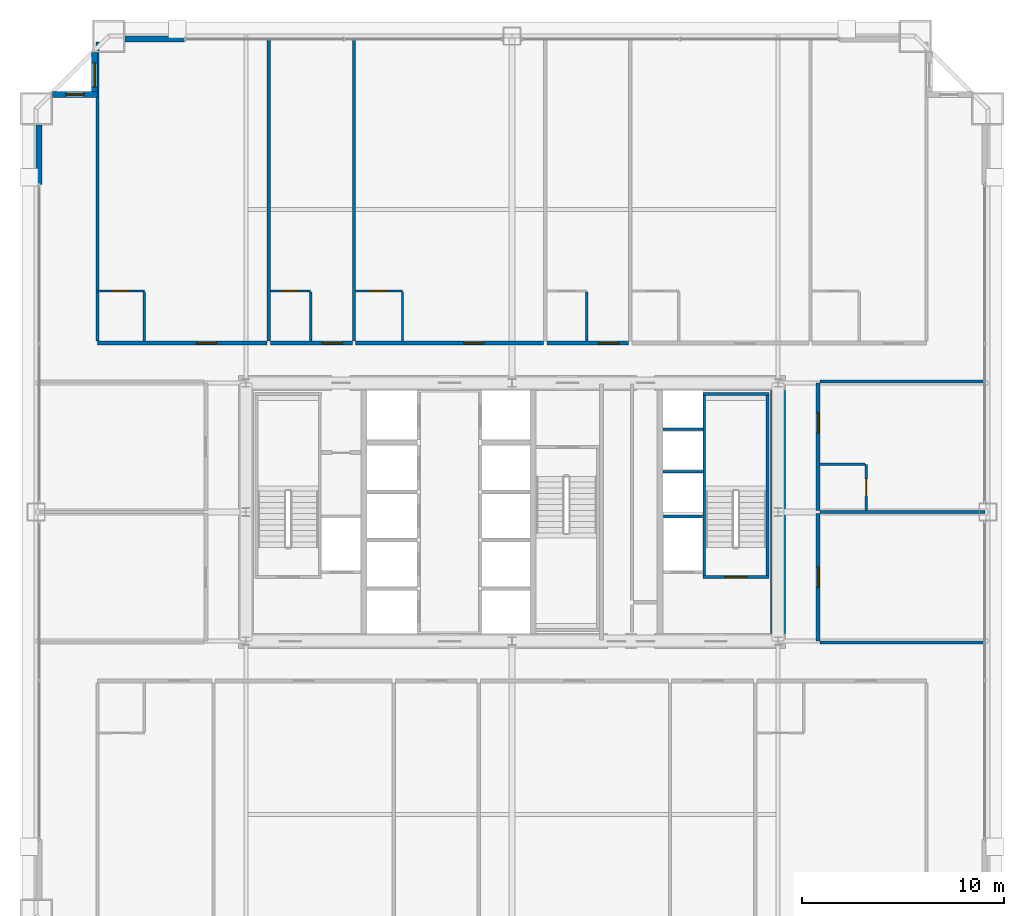
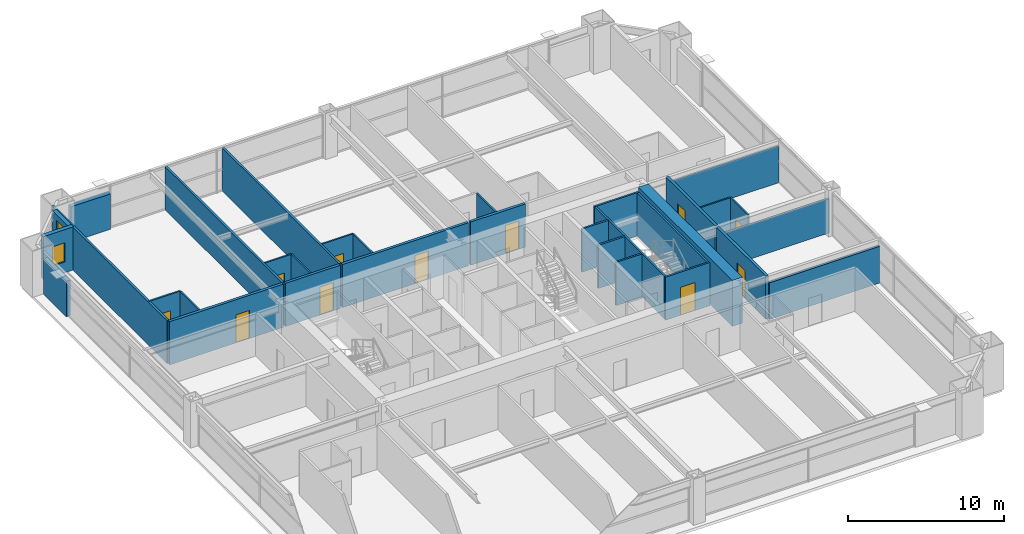
# One storey, part 37 of 39: 33 walls, 11 doors, 2 windows, 13 openings.
"""IFC4 building model written with IfcOpenShell, lengths in metres."""

from ifc_helpers import new_model, si_unit, direction, frame, frame_2d, origin, place, context, subcontext, project, spatial, rectangle, extrude, source, transform, mapped, material, layer, layer_set, type_object, element, fill, save


model = new_model("IFC4")

# Units and contexts
model_context = context("Model", 3, precision=1e-05, world=origin(), true_north=direction((0.0, 1.0)))
body_context = subcontext(model_context, "Body", "Model", "MODEL_VIEW")
ifc_project = project(units=[si_unit("LENGTHUNIT", "METRE"), si_unit("AREAUNIT", "SQUARE_METRE"), si_unit("VOLUMEUNIT", "CUBIC_METRE"), si_unit("PLANEANGLEUNIT", "RADIAN"), si_unit("MASSUNIT", "GRAM", prefix="KILO"), si_unit("THERMODYNAMICTEMPERATUREUNIT", "KELVIN"), si_unit("POWERUNIT", "WATT")], contexts=[model_context])

# Site, building, storey
site_placement = place(None, origin())
site = spatial("IfcSite", under=ifc_project, at=site_placement, CompositionType="ELEMENT")
building_placement = place(site_placement, origin())
building = spatial("IfcBuilding", under=site, at=building_placement, Name="Yuzanri Waterfront Tower", CompositionType="ELEMENT")
storey_placement = place(building_placement, frame((0.0, 0.0, 148.800048828125)))
storey = spatial("IfcBuildingStorey", under=building, at=storey_placement, Name="L39", CompositionType="ELEMENT", Elevation=148.800048828125)

# Wall, opening, door
ifc_material_1 = material(Name="Moisture-Resistant Gypsum Stud Wall", Category="gypsum")
ifc_layer_1 = layer(ifc_material_1, 0.1201171875)
ifc_layer_set_1 = layer_set([ifc_layer_1], Name="Moisture-Resistant Gypsum Stud Wall")
wall_type_1 = type_object("IfcWallType", Name="Bathroom and Kitchen Wet Partition 120", PredefinedType="PARTITIONING", material=ifc_layer_set_1)
wall_1_placement = place(storey_placement, frame((16.43994140625, 36.760009765625, 0.0), z_axis=(0.0, 0.0, 1.0), x_axis=(1.0, 0.0, 0.0)))
wall_1 = element("IfcWall", 1, at=wall_1_placement, inside=storey, type_object=wall_type_1, Name="L39 Partition UW-L39-N1-BN", PredefinedType="PARTITIONING", context=body_context, shape_type="SweptSolid", body=[
    extrude(rectangle(XDim=2.330078125, YDim=0.1201171875, at=frame_2d((1.1650390625, 0.0))), origin(), (0.0, 0.0, 1.0), 3.3798828125),
])
opening_1_placement = place(wall_1_placement, frame((0.739990234375, 0.0, 0.0)))
opening_1 = element("IfcOpeningElement", 2, at=opening_1_placement, cuts=wall_1, Name="Opening ID-0850", PredefinedType="OPENING", context=body_context, shape_type="SweptSolid", body=[
    extrude(rectangle(XDim=0.85009765625, YDim=2.10009765625, at=frame_2d((0.425048828125, 1.050048828125))), frame((0.0, 0.074951171875, 0.0), z_axis=(0.0, -1.0, 0.0), x_axis=(1.0, 0.0, 0.0)), (0.0, 0.0, 1.0), 0.14990234375),
])
ifc_material_2 = material(Name="Moisture-Resistant Lacquered Timber", Category="wood")
door_type_1 = type_object("IfcDoorType", Name="En-Suite Bathroom and Kitchen Swing Door 850x2100", OperationType="NOTDEFINED", PredefinedType="DOOR", material=ifc_material_2)
shared_shape_1 = source(origin(), body_context, "Body", "SweptSolid", [
    extrude(rectangle(XDim=0.85009765625, YDim=2.10009765625, at=frame_2d((0.425048828125, 1.050048828125))), frame((0.0, 0.02490234375, 0.0), z_axis=(0.0, -1.0, 0.0), x_axis=(1.0, 0.0, 0.0)), (0.0, 0.0, 1.0), 0.050048828125),
])
door_1_placement = place(opening_1_placement, origin())
door_1 = element("IfcDoor", 3, at=door_1_placement, inside=storey, type_object=door_type_1, Name="L39 Guest En-Suite Door", OperationType="SINGLE_SWING_LEFT", OverallHeight=2.10009765625, OverallWidth=0.85009765625, PredefinedType="DOOR", context=body_context, shape_type="MappedRepresentation", body=[
    mapped(shared_shape_1, transform((0.0, 0.0, 0.0), scale=1.0)),
])
fill(opening_1, door_1)

wall_2_placement = place(storey_placement, frame((25.01806640625, 36.760009765625, 0.0), z_axis=(0.0, 0.0, 1.0), x_axis=(1.0, 0.0, 0.0)))
wall_2 = element("IfcWall", 4, at=wall_2_placement, inside=storey, type_object=wall_type_1, Name="L39 Partition UW-L39-N2-BN", PredefinedType="PARTITIONING", context=body_context, shape_type="SweptSolid", body=[
    extrude(rectangle(XDim=1.991943359375, YDim=0.1201171875, at=frame_2d((0.99609375, 0.0))), origin(), (0.0, 0.0, 1.0), 3.3798828125),
])
opening_2_placement = place(wall_2_placement, frame((0.571044921875, 0.0, 0.0)))
opening_2 = element("IfcOpeningElement", 5, at=opening_2_placement, cuts=wall_2, Name="Opening ID-0850", PredefinedType="OPENING", context=body_context, shape_type="SweptSolid", body=[
    extrude(rectangle(XDim=0.85009765625, YDim=2.10009765625, at=frame_2d((0.425048828125, 1.050048828125))), frame((0.0, 0.074951171875, 0.0), z_axis=(0.0, -1.0, 0.0), x_axis=(1.0, 0.0, 0.0)), (0.0, 0.0, 1.0), 0.14990234375),
])
door_2_placement = place(opening_2_placement, origin())
door_2 = element("IfcDoor", 6, at=door_2_placement, inside=storey, type_object=door_type_1, Name="L39 Guest En-Suite Door", OperationType="SINGLE_SWING_LEFT", OverallHeight=2.10009765625, OverallWidth=0.85009765625, PredefinedType="DOOR", context=body_context, shape_type="MappedRepresentation", body=[
    mapped(shared_shape_1, transform((0.0, 0.0, 0.0), scale=1.0)),
])
fill(opening_2, door_2)

wall_3_placement = place(storey_placement, frame((29.239990234375, 36.760009765625, 0.0), z_axis=(0.0, 0.0, 1.0), x_axis=(1.0, 0.0, 0.0)))
wall_3 = element("IfcWall", 7, at=wall_3_placement, inside=storey, type_object=wall_type_1, Name="L39 Partition UW-L39-N3-BN", PredefinedType="PARTITIONING", context=body_context, shape_type="SweptSolid", body=[
    extrude(rectangle(XDim=2.330078125, YDim=0.1201171875, at=frame_2d((1.1650390625, 0.0))), origin(), (0.0, 0.0, 1.0), 3.3798828125),
])
opening_3_placement = place(wall_3_placement, frame((0.739990234375, 0.0, 0.0)))
opening_3 = element("IfcOpeningElement", 8, at=opening_3_placement, cuts=wall_3, Name="Opening ID-0850", PredefinedType="OPENING", context=body_context, shape_type="SweptSolid", body=[
    extrude(rectangle(XDim=0.85009765625, YDim=2.10009765625, at=frame_2d((0.425048828125, 1.050048828125))), frame((0.0, 0.074951171875, 0.0), z_axis=(0.0, -1.0, 0.0), x_axis=(1.0, 0.0, 0.0)), (0.0, 0.0, 1.0), 0.14990234375),
])
door_3_placement = place(opening_3_placement, origin())
door_3 = element("IfcDoor", 9, at=door_3_placement, inside=storey, type_object=door_type_1, Name="L39 Guest En-Suite Door", OperationType="SINGLE_SWING_LEFT", OverallHeight=2.10009765625, OverallWidth=0.85009765625, PredefinedType="DOOR", context=body_context, shape_type="MappedRepresentation", body=[
    mapped(shared_shape_1, transform((0.0, 0.0, 0.0), scale=1.0)),
])
fill(opening_3, door_3)

wall_4_placement = place(storey_placement, frame((54.56005859375, 25.8798828125, 0.0), z_axis=(0.0, 0.0, 1.0), x_axis=(0.0, 1.0, 0.0)))
wall_4 = element("IfcWall", 10, at=wall_4_placement, inside=storey, type_object=wall_type_1, Name="L39 Partition UW-L39-E2-BE2", PredefinedType="PARTITIONING", context=body_context, shape_type="SweptSolid", body=[
    extrude(rectangle(XDim=2.280029296875, YDim=0.1201171875, at=frame_2d((1.14013671875, 0.0))), origin(), (0.0, 0.0, 1.0), 3.3798828125),
])
opening_4_placement = place(wall_4_placement, frame((0.715087890625, 0.0, 0.0)))
opening_4 = element("IfcOpeningElement", 11, at=opening_4_placement, cuts=wall_4, Name="Opening ID-0850", PredefinedType="OPENING", context=body_context, shape_type="SweptSolid", body=[
    extrude(rectangle(XDim=0.85009765625, YDim=2.10009765625, at=frame_2d((0.425048828125, 1.050048828125))), frame((0.0, 0.074951171875, 0.0), z_axis=(0.0, -1.0, 0.0), x_axis=(1.0, 0.0, 0.0)), (0.0, 0.0, 1.0), 0.14990234375),
])
door_4_placement = place(opening_4_placement, origin())
door_4 = element("IfcDoor", 12, at=door_4_placement, inside=storey, type_object=door_type_1, Name="L39 Guest En-Suite Door", OperationType="SINGLE_SWING_RIGHT", OverallHeight=2.10009765625, OverallWidth=0.85009765625, PredefinedType="DOOR", context=body_context, shape_type="MappedRepresentation", body=[
    mapped(shared_shape_1, transform((0.0, 0.0, 0.0), scale=1.0)),
])
fill(opening_4, door_4)

# Wall, opening, window
ifc_material_3 = material(Name="Honed Chongqing Dark Basalt Stone", Category="masonry")
ifc_layer_2 = layer(ifc_material_3, 0.300048828125)
ifc_layer_set_2 = layer_set([ifc_layer_2], Name="Honed Chongqing Dark Basalt Stone")
wall_type_2 = type_object("IfcWallType", Name="Bronze Rainscreen Insulated Spandrel Portal Wall 300", PredefinedType="SOLIDWALL", material=ifc_layer_set_2)
wall_5_placement = place(storey_placement, frame((16.449951171875, 46.5, 0.0), z_axis=(0.0, 0.0, 1.0), x_axis=(-1.0, 0.0, 0.0)))
wall_5 = element("IfcWall", 13, at=wall_5_placement, inside=storey, type_object=wall_type_2, Name="L39 Notched Corner Masonry Wall NW-X", PredefinedType="SOLIDWALL", context=body_context, shape_type="SweptSolid", body=[
    extrude(rectangle(XDim=2.25, YDim=0.300048828125, at=frame_2d((1.125, 0.0))), origin(), (0.0, 0.0, 1.0), 3.3798828125),
])
opening_5_placement = place(wall_5_placement, frame((0.675048828125, 0.0, 0.85009765625)))
opening_5 = element("IfcOpeningElement", 14, at=opening_5_placement, cuts=wall_5, Name="Opening WN-05", PredefinedType="OPENING", context=body_context, shape_type="SweptSolid", body=[
    extrude(rectangle(XDim=0.89990234375, YDim=1.5, at=frame_2d((0.449951171875, 0.75))), frame((0.0, 0.1650390625, 0.0), z_axis=(0.0, -1.0, 0.0), x_axis=(1.0, 0.0, 0.0)), (0.0, 0.0, 1.0), 0.329833984375),
])
ifc_material_4 = material(Name="Double-Silver Low-E Insulated Glass", Category="glass")
window_type_1 = type_object("IfcWindowType", Name="Anodized Bronze Service and Stairwell Smoke-Vent Window 900x1500", PartitioningType="SINGLE_PANEL", PredefinedType="WINDOW", material=ifc_material_4)
shared_shape_2 = source(origin(), body_context, "Body", "SweptSolid", [
    extrude(rectangle(XDim=0.89990234375, YDim=1.5, at=frame_2d((0.449951171875, 0.75))), frame((0.0, 0.030029296875, 0.0), z_axis=(0.0, -1.0, 0.0), x_axis=(1.0, 0.0, 0.0)), (0.0, 0.0, 1.0), 0.06005859375),
])
window_1_placement = place(opening_5_placement, origin())
window_1 = element("IfcWindow", 15, at=window_1_placement, inside=storey, type_object=window_type_1, Name="L39 Notched Corner Window NW-X", OverallHeight=1.5, OverallWidth=0.89990234375, PartitioningType="SINGLE_PANEL", PredefinedType="WINDOW", context=body_context, shape_type="MappedRepresentation", body=[
    mapped(shared_shape_2, transform((0.0, 0.0, 0.0), scale=1.0)),
])
fill(opening_5, window_1)

wall_6_placement = place(storey_placement, frame((16.300048828125, 48.60009765625, 0.0), z_axis=(0.0, 0.0, 1.0), x_axis=(0.0, -1.0, 0.0)))
wall_6 = element("IfcWall", 16, at=wall_6_placement, inside=storey, type_object=wall_type_2, Name="L39 Notched Corner Masonry Wall NW-Y", PredefinedType="SOLIDWALL", context=body_context, shape_type="SweptSolid", body=[
    extrude(rectangle(XDim=2.25, YDim=0.300048828125, at=frame_2d((1.125, 0.0))), origin(), (0.0, 0.0, 1.0), 3.3798828125),
])
opening_6_placement = place(wall_6_placement, frame((0.52490234375, 0.0, 0.85009765625)))
opening_6 = element("IfcOpeningElement", 17, at=opening_6_placement, cuts=wall_6, Name="Opening WN-02", PredefinedType="OPENING", context=body_context, shape_type="SweptSolid", body=[
    extrude(rectangle(XDim=1.199951171875, YDim=2.10009765625, at=frame_2d((0.60009765625, 1.050048828125))), frame((0.0, 0.1650390625, 0.0), z_axis=(0.0, -1.0, 0.0), x_axis=(1.0, 0.0, 0.0)), (0.0, 0.0, 1.0), 0.329833984375),
])
ifc_material_5 = material(Name="Double-Silver Low-E Insulated Glass", Category="glass")
window_type_2 = type_object("IfcWindowType", Name="Anodized Bronze Notched Corner Deep-Set Slot Window 1200x2100", PartitioningType="SINGLE_PANEL", PredefinedType="WINDOW", material=ifc_material_5)
shared_shape_3 = source(origin(), body_context, "Body", "SweptSolid", [
    extrude(rectangle(XDim=1.199951171875, YDim=2.10009765625, at=frame_2d((0.60009765625, 1.050048828125))), frame((0.0, 0.030029296875, 0.0), z_axis=(0.0, -1.0, 0.0), x_axis=(1.0, 0.0, 0.0)), (0.0, 0.0, 1.0), 0.06005859375),
])
window_2_placement = place(opening_6_placement, origin())
window_2 = element("IfcWindow", 18, at=window_2_placement, inside=storey, type_object=window_type_2, Name="L39 Notched Corner Window NW-Y", OverallHeight=2.10009765625, OverallWidth=1.199951171875, PartitioningType="SINGLE_PANEL", PredefinedType="WINDOW", context=body_context, shape_type="MappedRepresentation", body=[
    mapped(shared_shape_3, transform((0.0, 0.0, 0.0), scale=1.0)),
])
fill(opening_6, window_2)

# Wall, opening, door
ifc_material_6 = material(Name="Concrete C40", Category="concrete")
ifc_layer_3 = layer(ifc_material_6, 0.139892578125)
ifc_layer_set_3 = layer_set([ifc_layer_3], Name="Concrete C40")
wall_type_3 = type_object("IfcWallType", Name="Core Stair Liner and Hoistway Shaft Wall 140", PredefinedType="SOLIDWALL", material=ifc_layer_set_3)
wall_7_placement = place(storey_placement, frame((46.4599609375, 22.570068359375, 0.0), z_axis=(0.0, 0.0, 1.0), x_axis=(1.0, 0.0, 0.0)))
wall_7 = element("IfcWall", 19, at=wall_7_placement, inside=storey, type_object=wall_type_3, Name="L39 Shaft Wall STW-L39-ST-02-S", PredefinedType="SOLIDWALL", context=body_context, shape_type="SweptSolid", body=[
    extrude(rectangle(XDim=3.280029296875, YDim=0.139892578125, at=frame_2d((1.64013671875, 0.0))), origin(), (0.0, 0.0, 1.0), 3.3798828125),
])
opening_7_placement = place(wall_7_placement, frame((1.090087890625, 0.0, 0.0)))
opening_7 = element("IfcOpeningElement", 20, at=opening_7_placement, cuts=wall_7, Name="Opening FD-1100", PredefinedType="OPENING", context=body_context, shape_type="SweptSolid", body=[
    extrude(rectangle(XDim=1.10009765625, YDim=2.199951171875, at=frame_2d((0.550048828125, 1.10009765625))), frame((0.0, 0.0849609375, 0.0), z_axis=(0.0, -1.0, 0.0), x_axis=(1.0, 0.0, 0.0)), (0.0, 0.0, 1.0), 0.169677734375),
])
ifc_material_7 = material(Name="Painted Galvanized Fire Steel", Category="steel")
door_type_2 = type_object("IfcDoorType", Name="Smoke-Proof Stair and Lobby Fire Door 1100x2200", OperationType="NOTDEFINED", PredefinedType="DOOR", material=ifc_material_7)
shared_shape_4 = source(origin(), body_context, "Body", "SweptSolid", [
    extrude(rectangle(XDim=1.10009765625, YDim=2.199951171875, at=frame_2d((0.550048828125, 1.10009765625))), frame((0.0, 0.02490234375, 0.0), z_axis=(0.0, -1.0, 0.0), x_axis=(1.0, 0.0, 0.0)), (0.0, 0.0, 1.0), 0.050048828125),
])
door_5_placement = place(opening_7_placement, origin())
door_5 = element("IfcDoor", 21, at=door_5_placement, inside=storey, type_object=door_type_2, Name="L39 Stair ST-02 Fire Door", OperationType="SINGLE_SWING_RIGHT", OverallHeight=2.199951171875, OverallWidth=1.10009765625, PredefinedType="DOOR", context=body_context, shape_type="MappedRepresentation", body=[
    mapped(shared_shape_4, transform((0.0, 0.0, 0.0), scale=1.0)),
])
fill(opening_7, door_5)

ifc_material_8 = material(Name="Autoclaved Aerated Concrete Blockwork", Category="masonry")
ifc_layer_4 = layer(ifc_material_8, 0.199951171875)
ifc_layer_set_4 = layer_set([ifc_layer_4], Name="Autoclaved Aerated Concrete Blockwork")
wall_type_4 = type_object("IfcWallType", Name="Corridor and Unit Party Fire Wall 200", PredefinedType="PARTITIONING", material=ifc_layer_set_4)
wall_8_placement = place(storey_placement, frame((16.43994140625, 34.179931640625, 0.0), z_axis=(0.0, 0.0, 1.0), x_axis=(1.0, 0.0, 0.0)))
wall_8 = element("IfcWall", 22, at=wall_8_placement, inside=storey, type_object=wall_type_4, Name="L39 Partition UW-L39-N1-CS", PredefinedType="PARTITIONING", context=body_context, shape_type="SweptSolid", body=[
    extrude(rectangle(XDim=8.41796875, YDim=0.199951171875, at=frame_2d((4.208984375, 0.0))), origin(), (0.0, 0.0, 1.0), 3.3798828125),
])
opening_8_placement = place(wall_8_placement, frame((4.9140625, 0.0, 0.0)))
opening_8 = element("IfcOpeningElement", 23, at=opening_8_placement, cuts=wall_8, Name="Opening FD-1000", PredefinedType="OPENING", context=body_context, shape_type="SweptSolid", body=[
    extrude(rectangle(XDim=1.0, YDim=2.199951171875, at=frame_2d((0.5, 1.10009765625))), frame((0.0, 0.11474609375, 0.0), z_axis=(0.0, -1.0, 0.0), x_axis=(1.0, 0.0, 0.0)), (0.0, 0.0, 1.0), 0.229736328125),
])
ifc_material_9 = material(Name="Engineered Oak Fire-Rated Timber", Category="wood")
door_type_3 = type_object("IfcDoorType", Name="Guestroom and Apartment Entrance Fire Door 1000x2200", OperationType="NOTDEFINED", PredefinedType="DOOR", material=ifc_material_9)
shared_shape_5 = source(origin(), body_context, "Body", "SweptSolid", [
    extrude(rectangle(XDim=1.0, YDim=2.199951171875, at=frame_2d((0.5, 1.10009765625))), frame((0.0, 0.02490234375, 0.0), z_axis=(0.0, -1.0, 0.0), x_axis=(1.0, 0.0, 0.0)), (0.0, 0.0, 1.0), 0.050048828125),
])
door_6_placement = place(opening_8_placement, origin())
door_6 = element("IfcDoor", 24, at=door_6_placement, inside=storey, type_object=door_type_3, Name="L39 Deluxe Twin Junior Suite Entrance Door", OperationType="SINGLE_SWING_RIGHT", OverallHeight=2.199951171875, OverallWidth=1.0, PredefinedType="DOOR", context=body_context, shape_type="MappedRepresentation", body=[
    mapped(shared_shape_5, transform((0.0, 0.0, 0.0), scale=1.0)),
])
fill(opening_8, door_6)

wall_9_placement = place(storey_placement, frame((25.01806640625, 34.179931640625, 0.0), z_axis=(0.0, 0.0, 1.0), x_axis=(1.0, 0.0, 0.0)))
wall_9 = element("IfcWall", 25, at=wall_9_placement, inside=storey, type_object=wall_type_4, Name="L39 Partition UW-L39-N2-CS", PredefinedType="PARTITIONING", context=body_context, shape_type="SweptSolid", body=[
    extrude(rectangle(XDim=4.06201171875, YDim=0.199951171875, at=frame_2d((2.031005859375, 0.0))), origin(), (0.0, 0.0, 1.0), 3.3798828125),
])
opening_9_placement = place(wall_9_placement, frame((2.56689453125, 0.0, 0.0)))
opening_9 = element("IfcOpeningElement", 26, at=opening_9_placement, cuts=wall_9, Name="Opening FD-1000", PredefinedType="OPENING", context=body_context, shape_type="SweptSolid", body=[
    extrude(rectangle(XDim=1.0, YDim=2.199951171875, at=frame_2d((0.5, 1.10009765625))), frame((0.0, 0.11474609375, 0.0), z_axis=(0.0, -1.0, 0.0), x_axis=(1.0, 0.0, 0.0)), (0.0, 0.0, 1.0), 0.229736328125),
])
door_7_placement = place(opening_9_placement, origin())
door_7 = element("IfcDoor", 27, at=door_7_placement, inside=storey, type_object=door_type_3, Name="L39 Deluxe Twin Guest Room Entrance Door", OperationType="SINGLE_SWING_RIGHT", OverallHeight=2.199951171875, OverallWidth=1.0, PredefinedType="DOOR", context=body_context, shape_type="MappedRepresentation", body=[
    mapped(shared_shape_5, transform((0.0, 0.0, 0.0), scale=1.0)),
])
fill(opening_9, door_7)

wall_10_placement = place(storey_placement, frame((29.239990234375, 34.179931640625, 0.0), z_axis=(0.0, 0.0, 1.0), x_axis=(1.0, 0.0, 0.0)))
wall_10 = element("IfcWall", 28, at=wall_10_placement, inside=storey, type_object=wall_type_4, Name="L39 Partition UW-L39-N3-CS", PredefinedType="PARTITIONING", context=body_context, shape_type="SweptSolid", body=[
    extrude(rectangle(XDim=9.324951171875, YDim=0.199951171875, at=frame_2d((4.66259765625, 0.0))), origin(), (0.0, 0.0, 1.0), 3.3798828125),
])
opening_10_placement = place(wall_10_placement, frame((5.367919921875, 0.0, 0.0)))
opening_10 = element("IfcOpeningElement", 29, at=opening_10_placement, cuts=wall_10, Name="Opening FD-1000", PredefinedType="OPENING", context=body_context, shape_type="SweptSolid", body=[
    extrude(rectangle(XDim=1.0, YDim=2.199951171875, at=frame_2d((0.5, 1.10009765625))), frame((0.0, 0.11474609375, 0.0), z_axis=(0.0, -1.0, 0.0), x_axis=(1.0, 0.0, 0.0)), (0.0, 0.0, 1.0), 0.229736328125),
])
door_8_placement = place(opening_10_placement, origin())
door_8 = element("IfcDoor", 30, at=door_8_placement, inside=storey, type_object=door_type_3, Name="L39 Deluxe Twin Junior Suite Entrance Door", OperationType="SINGLE_SWING_RIGHT", OverallHeight=2.199951171875, OverallWidth=1.0, PredefinedType="DOOR", context=body_context, shape_type="MappedRepresentation", body=[
    mapped(shared_shape_5, transform((0.0, 0.0, 0.0), scale=1.0)),
])
fill(opening_10, door_8)

wall_11_placement = place(storey_placement, frame((38.72509765625, 34.179931640625, 0.0), z_axis=(0.0, 0.0, 1.0), x_axis=(1.0, 0.0, 0.0)))
wall_11 = element("IfcWall", 31, at=wall_11_placement, inside=storey, type_object=wall_type_4, Name="L39 Partition UW-L39-N4-CS", PredefinedType="PARTITIONING", context=body_context, shape_type="SweptSolid", body=[
    extrude(rectangle(XDim=4.060791015625, YDim=0.199951171875, at=frame_2d((2.0302734375, 0.0))), origin(), (0.0, 0.0, 1.0), 3.3798828125),
])
opening_11_placement = place(wall_11_placement, frame((2.56591796875, 0.0, 0.0)))
opening_11 = element("IfcOpeningElement", 32, at=opening_11_placement, cuts=wall_11, Name="Opening FD-1000", PredefinedType="OPENING", context=body_context, shape_type="SweptSolid", body=[
    extrude(rectangle(XDim=1.0, YDim=2.199951171875, at=frame_2d((0.5, 1.10009765625))), frame((0.0, 0.11474609375, 0.0), z_axis=(0.0, -1.0, 0.0), x_axis=(1.0, 0.0, 0.0)), (0.0, 0.0, 1.0), 0.229736328125),
])
door_9_placement = place(opening_11_placement, origin())
door_9 = element("IfcDoor", 33, at=door_9_placement, inside=storey, type_object=door_type_3, Name="L39 Deluxe Twin Guest Room Entrance Door", OperationType="SINGLE_SWING_RIGHT", OverallHeight=2.199951171875, OverallWidth=1.0, PredefinedType="DOOR", context=body_context, shape_type="MappedRepresentation", body=[
    mapped(shared_shape_5, transform((0.0, 0.0, 0.0), scale=1.0)),
])
fill(opening_11, door_9)

wall_12_placement = place(storey_placement, frame((52.179931640625, 19.409912109375, 0.0), z_axis=(0.0, 0.0, 1.0), x_axis=(0.0, 1.0, 0.0)))
wall_12 = element("IfcWall", 34, at=wall_12_placement, inside=storey, type_object=wall_type_4, Name="L39 Partition UW-L39-E1-CW", PredefinedType="PARTITIONING", context=body_context, shape_type="SweptSolid", body=[
    extrude(rectangle(XDim=6.31005859375, YDim=0.199951171875, at=frame_2d((3.155029296875, 0.0))), origin(), (0.0, 0.0, 1.0), 3.3798828125),
])
opening_12_placement = place(wall_12_placement, frame((2.655029296875, 0.0, 0.0)))
opening_12 = element("IfcOpeningElement", 35, at=opening_12_placement, cuts=wall_12, Name="Opening FD-1000", PredefinedType="OPENING", context=body_context, shape_type="SweptSolid", body=[
    extrude(rectangle(XDim=1.0, YDim=2.199951171875, at=frame_2d((0.5, 1.10009765625))), frame((0.0, 0.11474609375, 0.0), z_axis=(0.0, -1.0, 0.0), x_axis=(1.0, 0.0, 0.0)), (0.0, 0.0, 1.0), 0.229736328125),
])
door_10_placement = place(opening_12_placement, origin())
door_10 = element("IfcDoor", 36, at=door_10_placement, inside=storey, type_object=door_type_3, Name="L39 East Tea Restaurant Entrance Door", OperationType="SINGLE_SWING_RIGHT", OverallHeight=2.199951171875, OverallWidth=1.0, PredefinedType="DOOR", context=body_context, shape_type="MappedRepresentation", body=[
    mapped(shared_shape_5, transform((0.0, 0.0, 0.0), scale=1.0)),
])
fill(opening_12, door_10)

wall_13_placement = place(storey_placement, frame((52.179931640625, 25.8798828125, 0.0), z_axis=(0.0, 0.0, 1.0), x_axis=(0.0, 1.0, 0.0)))
wall_13 = element("IfcWall", 37, at=wall_13_placement, inside=storey, type_object=wall_type_4, Name="L39 Partition UW-L39-E2-CW", PredefinedType="PARTITIONING", context=body_context, shape_type="SweptSolid", body=[
    extrude(rectangle(XDim=6.31005859375, YDim=0.199951171875, at=frame_2d((3.155029296875, 0.0))), origin(), (0.0, 0.0, 1.0), 3.3798828125),
])
opening_13_placement = place(wall_13_placement, frame((3.8349609375, 0.0, 0.0)))
opening_13 = element("IfcOpeningElement", 38, at=opening_13_placement, cuts=wall_13, Name="Opening FD-1000", PredefinedType="OPENING", context=body_context, shape_type="SweptSolid", body=[
    extrude(rectangle(XDim=1.0, YDim=2.199951171875, at=frame_2d((0.5, 1.10009765625))), frame((0.0, 0.11474609375, 0.0), z_axis=(0.0, -1.0, 0.0), x_axis=(1.0, 0.0, 0.0)), (0.0, 0.0, 1.0), 0.229736328125),
])
door_11_placement = place(opening_13_placement, origin())
door_11 = element("IfcDoor", 39, at=door_11_placement, inside=storey, type_object=door_type_3, Name="L39 East Guest Room Entrance Door", OperationType="SINGLE_SWING_LEFT", OverallHeight=2.199951171875, OverallWidth=1.0, PredefinedType="DOOR", context=body_context, shape_type="MappedRepresentation", body=[
    mapped(shared_shape_5, transform((0.0, 0.0, 0.0), scale=1.0)),
])
fill(opening_13, door_11)

# Walls
ifc_material_10 = material(Name="Concrete C55", Category="concrete")
ifc_layer_5 = layer(ifc_material_10, 0.75)
ifc_layer_set_5 = layer_set([ifc_layer_5], Name="Concrete C55")
wall_type_5 = type_object("IfcWallType", Name="Concrete C55 Low-Mid Zone Core Shear Wall 750", PredefinedType="SHEAR", material=ifc_layer_set_5)
shared_shape_6 = source(origin(), body_context, "Body", "SweptSolid", [
    extrude(rectangle(XDim=12.050048828125, YDim=0.75, at=frame_2d((6.02490234375, 0.0))), origin(), (0.0, 0.0, 1.0), 3.599853515625),
])
wall_14_placement = place(storey_placement, frame((50.199951171875, 19.77490234375, 0.0), z_axis=(0.0, 0.0, 1.0), x_axis=(0.0, 1.0, 0.0)))
element("IfcWall", 40, at=wall_14_placement, inside=storey, type_object=wall_type_5, Name="L39 Core East Shear Wall", PredefinedType="SHEAR", context=body_context, shape_type="MappedRepresentation", body=[
    mapped(shared_shape_6, transform((0.0, 0.0, 0.0), scale=1.0)),
])
shared_shape_7 = source(origin(), body_context, "Body", "SweptSolid", [
    extrude(rectangle(XDim=2.949951171875, YDim=0.300048828125, at=frame_2d((1.47509765625, 0.0))), origin(), (0.0, 0.0, 1.0), 2.77490234375),
])
for number, where, z_axis, x_axis, name in (
    (41, (17.800048828125, 49.25, 0.0), (0.0, 0.0, 1.0), (1.0, 0.0, 0.0), "L39 N Left Braced Masonry Shoulder"),
    (42, (13.550048828125, 42.050048828125, 0.0), (0.0, 0.0, 1.0), (0.0, 1.0, 0.0), "L39 W Right Braced Masonry Shoulder"),
):
    element("IfcWall", number, at=place(storey_placement, frame(where, z_axis=z_axis, x_axis=x_axis)), inside=storey, type_object=wall_type_2, Name=name, PredefinedType="SOLIDWALL", context=body_context, shape_type="MappedRepresentation", body=[
        mapped(shared_shape_7, transform((0.0, 0.0, 0.0), scale=1.0)),
    ])
shared_shape_8 = source(origin(), body_context, "Body", "SweptSolid", [
    extrude(rectangle(XDim=1.919921875, YDim=0.139892578125, at=frame_2d((0.9599609375, 0.0))), origin(), (0.0, 0.0, 1.0), 3.3798828125),
])
wall_15_placement = place(storey_placement, frame((44.52001953125, 25.570068359375, 0.0), z_axis=(0.0, 0.0, 1.0), x_axis=(1.0, 0.0, 0.0)))
element("IfcWall", 43, at=wall_15_placement, inside=storey, type_object=wall_type_3, Name="L39 Lift FL-02 Back Shaft Wall", PredefinedType="SOLIDWALL", context=body_context, shape_type="MappedRepresentation", body=[
    mapped(shared_shape_8, transform((0.0, 0.0, 0.0), scale=1.0)),
])
shared_shape_9 = source(origin(), body_context, "Body", "SweptSolid", [
    extrude(rectangle(XDim=2.0, YDim=0.139892578125, at=frame_2d((1.0, 0.0))), origin(), (0.0, 0.0, 1.0), 3.3798828125),
])
for number, where, z_axis, x_axis, name in (
    (44, (44.5, 27.800048828125, 0.0), (0.0, 0.0, 1.0), (1.0, 0.0, 0.0), "L39 Lift PL-09 Divider Wall"),
    (45, (44.5, 29.89990234375, 0.0), (0.0, 0.0, 1.0), (1.0, 0.0, 0.0), "L39 Lift PL-10 Divider Wall"),
):
    element("IfcWall", number, at=place(storey_placement, frame(where, z_axis=z_axis, x_axis=x_axis)), inside=storey, type_object=wall_type_3, Name=name, PredefinedType="SOLIDWALL", context=body_context, shape_type="MappedRepresentation", body=[
        mapped(shared_shape_9, transform((0.0, 0.0, 0.0), scale=1.0)),
    ])
shared_shape_10 = source(origin(), body_context, "Body", "SweptSolid", [
    extrude(rectangle(XDim=3.280029296875, YDim=0.139892578125, at=frame_2d((1.64013671875, 0.0))), origin(), (0.0, 0.0, 1.0), 3.3798828125),
])
wall_16_placement = place(storey_placement, frame((46.4599609375, 31.64990234375, 0.0), z_axis=(0.0, 0.0, 1.0), x_axis=(1.0, 0.0, 0.0)))
element("IfcWall", 46, at=wall_16_placement, inside=storey, type_object=wall_type_3, Name="L39 Stair ST-02 North Shaft Wall", PredefinedType="SOLIDWALL", context=body_context, shape_type="MappedRepresentation", body=[
    mapped(shared_shape_10, transform((0.0, 0.0, 0.0), scale=1.0)),
])
shared_shape_11 = source(origin(), body_context, "Body", "SweptSolid", [
    extrude(rectangle(XDim=8.940185546875, YDim=0.139892578125, at=frame_2d((4.47021484375, 0.0))), origin(), (0.0, 0.0, 1.0), 3.3798828125),
])
for number, where, z_axis, x_axis, name in (
    (47, (46.530029296875, 22.639892578125, 0.0), (0.0, 0.0, 1.0), (0.0, 1.0, 0.0), "L39 Stair ST-02 West Shaft Wall"),
    (48, (49.669921875, 22.639892578125, 0.0), (0.0, 0.0, 1.0), (0.0, 1.0, 0.0), "L39 Stair ST-02 East Shaft Wall"),
):
    element("IfcWall", number, at=place(storey_placement, frame(where, z_axis=z_axis, x_axis=x_axis)), inside=storey, type_object=wall_type_3, Name=name, PredefinedType="SOLIDWALL", context=body_context, shape_type="MappedRepresentation", body=[
        mapped(shared_shape_11, transform((0.0, 0.0, 0.0), scale=1.0)),
    ])
shared_shape_12 = source(origin(), body_context, "Body", "SweptSolid", [
    extrude(rectangle(XDim=2.419921875, YDim=0.1201171875, at=frame_2d((1.2099609375, 0.0))), origin(), (0.0, 0.0, 1.0), 3.3798828125),
])
for number, where, z_axis, x_axis, name in (
    (49, (18.77001953125, 34.280029296875, 0.0), (0.0, 0.0, 1.0), (0.0, 1.0, 0.0), "L39-N1 En-Suite Side Wall"),
    (50, (27.010009765625, 34.280029296875, 0.0), (0.0, 0.0, 1.0), (0.0, 1.0, 0.0), "L39-N2 En-Suite Side Wall"),
    (51, (31.570068359375, 34.280029296875, 0.0), (0.0, 0.0, 1.0), (0.0, 1.0, 0.0), "L39-N3 En-Suite Side Wall"),
    (52, (40.716064453125, 34.280029296875, 0.0), (0.0, 0.0, 1.0), (0.0, 1.0, 0.0), "L39-N4 En-Suite Side Wall"),
):
    element("IfcWall", number, at=place(storey_placement, frame(where, z_axis=z_axis, x_axis=x_axis)), inside=storey, type_object=wall_type_1, Name=name, PredefinedType="PARTITIONING", context=body_context, shape_type="MappedRepresentation", body=[
        mapped(shared_shape_12, transform((0.0, 0.0, 0.0), scale=1.0)),
    ])
shared_shape_13 = source(origin(), body_context, "Body", "SweptSolid", [
    extrude(rectangle(XDim=2.219970703125, YDim=0.1201171875, at=frame_2d((1.10986328125, 0.0))), origin(), (0.0, 0.0, 1.0), 3.3798828125),
])
wall_17_placement = place(storey_placement, frame((52.280029296875, 28.159912109375, 0.0), z_axis=(0.0, 0.0, 1.0), x_axis=(1.0, 0.0, 0.0)))
element("IfcWall", 53, at=wall_17_placement, inside=storey, type_object=wall_type_1, Name="L39-E2 En-Suite Top Wall", PredefinedType="PARTITIONING", context=body_context, shape_type="MappedRepresentation", body=[
    mapped(shared_shape_13, transform((0.0, 0.0, 0.0), scale=1.0)),
])
ifc_material_11 = material(Name="Gypsum Fireboard Acoustic Stud Wall", Category="gypsum")
ifc_layer_6 = layer(ifc_material_11, 0.159912109375)
ifc_layer_set_6 = layer_set([ifc_layer_6], Name="Gypsum Fireboard Acoustic Stud Wall")
wall_type_6 = type_object("IfcWallType", Name="Acoustic Suite Demising Partition 160", PredefinedType="PARTITIONING", material=ifc_layer_set_6)
shared_shape_14 = source(origin(), body_context, "Body", "SweptSolid", [
    extrude(rectangle(XDim=8.169921875, YDim=0.159912109375, at=frame_2d((4.0849609375, 0.0))), origin(), (0.0, 0.0, 1.0), 2.675048828125),
])
wall_18_placement = place(storey_placement, frame((52.280029296875, 25.800048828125, 0.0), z_axis=(0.0, 0.0, 1.0), x_axis=(1.0, 0.0, 0.0)))
element("IfcWall", 54, at=wall_18_placement, inside=storey, type_object=wall_type_6, Name="L39-E1 Wing Party Wall", PredefinedType="PARTITIONING", context=body_context, shape_type="MappedRepresentation", body=[
    mapped(shared_shape_14, transform((0.0, 0.0, 0.0), scale=1.0)),
])
shared_shape_15 = source(origin(), body_context, "Body", "SweptSolid", [
    extrude(rectangle(XDim=8.169921875, YDim=0.159912109375, at=frame_2d((4.0849609375, 0.0))), origin(), (0.0, 0.0, 1.0), 2.875),
])
for number, where, z_axis, x_axis, name in (
    (55, (52.280029296875, 19.330078125, 0.0), (0.0, 0.0, 1.0), (1.0, 0.0, 0.0), "L39-E1 Wing South End Wall"),
    (56, (52.280029296875, 32.27001953125, 0.0), (0.0, 0.0, 1.0), (1.0, 0.0, 0.0), "L39-E2 Wing North End Wall"),
):
    element("IfcWall", number, at=place(storey_placement, frame(where, z_axis=z_axis, x_axis=x_axis)), inside=storey, type_object=wall_type_6, Name=name, PredefinedType="PARTITIONING", context=body_context, shape_type="MappedRepresentation", body=[
        mapped(shared_shape_15, transform((0.0, 0.0, 0.0), scale=1.0)),
    ])
shared_shape_16 = source(origin(), body_context, "Body", "SweptSolid", [
    extrude(rectangle(XDim=14.969970703125, YDim=0.159912109375, at=frame_2d((7.48486328125, 0.0))), origin(), (0.0, 0.0, 1.0), 3.3798828125),
])
for number, where, z_axis, x_axis, name in (
    (57, (24.93798828125, 34.280029296875, 0.0), (0.0, 0.0, 1.0), (0.0, 1.0, 0.0), "L39-N1 Party Wall"),
    (58, (29.159912109375, 34.280029296875, 0.0), (0.0, 0.0, 1.0), (0.0, 1.0, 0.0), "L39-N2 Party Wall"),
):
    element("IfcWall", number, at=place(storey_placement, frame(where, z_axis=z_axis, x_axis=x_axis)), inside=storey, type_object=wall_type_6, Name=name, PredefinedType="PARTITIONING", context=body_context, shape_type="MappedRepresentation", body=[
        mapped(shared_shape_16, transform((0.0, 0.0, 0.0), scale=1.0)),
    ])
shared_shape_17 = source(origin(), body_context, "Body", "SweptSolid", [
    extrude(rectangle(XDim=14.820068359375, YDim=0.159912109375, at=frame_2d((7.41015625, 0.0))), origin(), (0.0, 0.0, 1.0), 3.3798828125),
])
wall_19_placement = place(storey_placement, frame((16.449951171875, 34.280029296875, 0.0), z_axis=(0.0, 0.0, 1.0), x_axis=(0.0, 1.0, 0.0)))
element("IfcWall", 59, at=wall_19_placement, inside=storey, type_object=wall_type_6, Name="L39 North Band West End Wall", PredefinedType="PARTITIONING", context=body_context, shape_type="MappedRepresentation", body=[
    mapped(shared_shape_17, transform((0.0, 0.0, 0.0), scale=1.0)),
])

save(model, "model.ifc")
